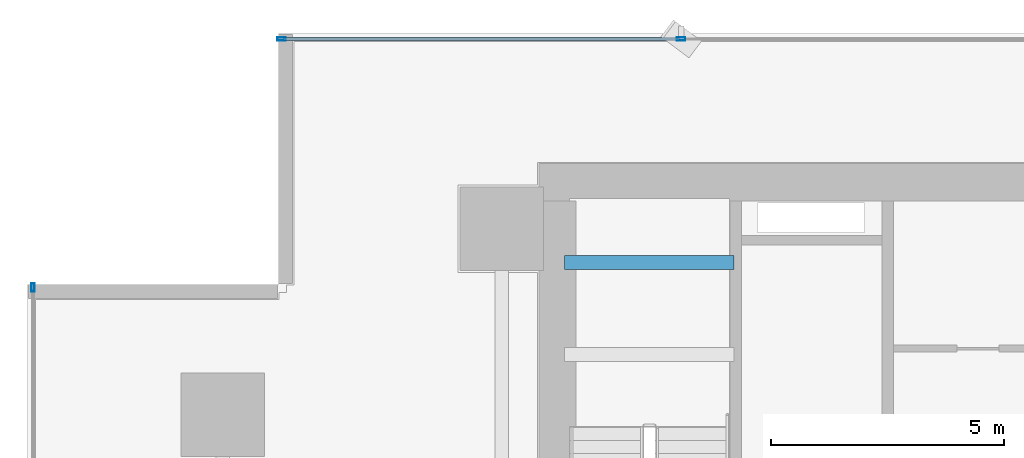
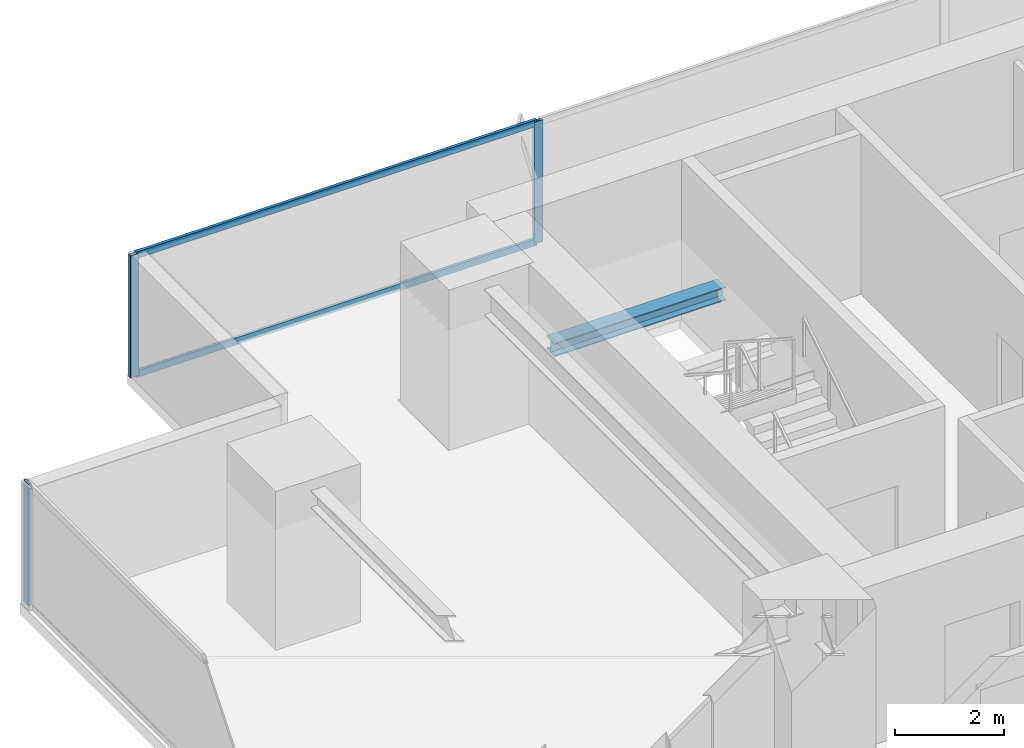
# One storey, part 18 of 33: 5 members, 1 beam, 2 elements without a shape of their own.
"""IFC4 building model written with IfcOpenShell, lengths in metres."""

from ifc_helpers import new_model, si_unit, direction, frame, origin, origin_2d, place, context, subcontext, project, spatial, hollow_rectangle, i_section, extrude, source, transform, mapped, material, layer, layer_set, material_profile, profile_set, type_object, element, aggregate, save


model = new_model("IFC4")

# Units and contexts
model_context = context("Model", 3, precision=1e-05, world=origin(), true_north=direction((0.0, 1.0)))
body_context = subcontext(model_context, "Body", "Model", "MODEL_VIEW")
ifc_project = project(units=[si_unit("LENGTHUNIT", "METRE"), si_unit("AREAUNIT", "SQUARE_METRE"), si_unit("VOLUMEUNIT", "CUBIC_METRE"), si_unit("PLANEANGLEUNIT", "RADIAN"), si_unit("MASSUNIT", "GRAM", prefix="KILO")], contexts=[model_context])

# Site, building, storey
site_placement = place(None, origin())
site = spatial("IfcSite", under=ifc_project, at=site_placement, CompositionType="ELEMENT")
building_placement = place(site_placement, origin())
building = spatial("IfcBuilding", under=site, at=building_placement, Name="Sumidabori Civic Tower", CompositionType="ELEMENT")
storey_placement = place(building_placement, frame((0.0, 0.0, 63.199951171875)))
storey = spatial("IfcBuildingStorey", under=building, at=storey_placement, Name="L16", CompositionType="ELEMENT", Elevation=63.199951171875)

# Beam
ifc_material_1 = material(Name="Steel SN490", Category="steel")
ifc_material_profile_1 = material_profile(ifc_material_1, i_section(OverallWidth=0.300048828125, OverallDepth=0.300048828125, WebThickness=0.010986328125, FlangeThickness=0.01904296875, at=origin_2d()), Name="HE 300 B")
ifc_profile_set_1 = profile_set([ifc_material_profile_1], Name="Steel SN490")
beam_type = type_object("IfcBeamType", Name="BM-LDG-300", PredefinedType="BEAM", material=ifc_profile_set_1)
shared_shape_1 = source(origin(), body_context, "Body", "SweptSolid", [
    extrude(i_section(OverallWidth=0.300048828125, OverallDepth=0.300048828125, WebThickness=0.010986328125, FlangeThickness=0.01904296875, at=origin_2d()), origin(), (0.0, 0.0, 1.0), 3.64990234375),
])
beam_placement = place(storey_placement, frame((-15.449951171875, 22.069580078125, 1.449951171875), z_axis=(1.0, 0.0, 0.0), x_axis=(0.0, 1.0, 0.0)))
element("IfcBeam", 1, at=beam_placement, inside=storey, type_object=beam_type, Name="Stair ST-1 Landing Trimmer Beam L16-1B", PredefinedType="BEAM", context=body_context, shape_type="MappedRepresentation", body=[
    mapped(shared_shape_1, transform((0.0, 0.0, 0.0), x_axis=(1.0, 0.0, 0.0), y_axis=(0.0, 1.0, 0.0), z_axis=(0.0, 0.0, 1.0), scale=1.0)),
])

# Curtain wall, members
ifc_material_2 = material(Name="Anodised Bronze Aluminium AW-6063-T6", Category="aluminium")
ifc_layer = layer(ifc_material_2, 0.179931640625, Name="Anodised Bronze Aluminium AW-6063-T6")
ifc_layer_set = layer_set([ifc_layer], Name="Anodised Bronze Aluminium AW-6063-T6")
curtain_wall_type = type_object("IfcCurtainWallType", Name="CW-SYS-2", PredefinedType="NOTDEFINED", material=ifc_layer_set)
curtain_wall_1_placement = place(storey_placement, origin())
curtain_wall_1 = element("IfcCurtainWall", 2, at=curtain_wall_1_placement, inside=storey, type_object=curtain_wall_type, Name="Curtain Wall CW:L16:R07", PredefinedType="NOTDEFINED")
ifc_material_profile_2 = material_profile(ifc_material_2, hollow_rectangle(XDim=0.070068359375, YDim=0.179931640625, WallThickness=0.006103515625, at=origin_2d()), Name="ALU MULLION 180x70")
ifc_profile_set_2 = profile_set([ifc_material_profile_2], Name="Anodised Bronze Aluminium AW-6063-T6")
member_type_1 = type_object("IfcMemberType", Name="CW-MUL-180", PredefinedType="MULLION", material=ifc_profile_set_2)
shared_shape_2 = source(origin(), body_context, "Body", "SweptSolid", [
    extrude(hollow_rectangle(XDim=0.070068359375, YDim=0.179931640625, WallThickness=0.006103515625, at=origin_2d()), origin(), (0.0, 0.0, 1.0), 2.739990234375),
])
member_1_placement = place(storey_placement, frame((-12.94189453125, 26.8798828125, 0.0), z_axis=(0.0, 0.0, 1.0), x_axis=(0.0, -1.0, 0.0)))
member_1 = element("IfcMember", 3, at=member_1_placement, type_object=member_type_1, Name="CW-2 mullion 5", PredefinedType="MULLION", context=body_context, shape_type="MappedRepresentation", body=[
    mapped(shared_shape_2, transform((0.0, 0.0, 0.0), x_axis=(1.0, 0.0, 0.0), y_axis=(0.0, 1.0, 0.0), z_axis=(0.0, 0.0, 1.0), scale=1.0)),
])
member_2_placement = place(storey_placement, frame((-21.534912109375, 26.8798828125, 0.0), z_axis=(0.0, 0.0, 1.0), x_axis=(0.0, -1.0, 0.0)))
member_2 = element("IfcMember", 4, at=member_2_placement, type_object=member_type_1, Name="CW-2 mullion 6", PredefinedType="MULLION", context=body_context, shape_type="MappedRepresentation", body=[
    mapped(shared_shape_2, transform((0.0, 0.0, 0.0), x_axis=(1.0, 0.0, 0.0), y_axis=(0.0, 1.0, 0.0), z_axis=(0.0, 0.0, 1.0), scale=1.0)),
])

# Curtain wall, member
curtain_wall_2_placement = place(storey_placement, origin())
curtain_wall_2 = element("IfcCurtainWall", 5, at=curtain_wall_2_placement, inside=storey, type_object=curtain_wall_type, Name="Curtain Wall CW:L16:R10", PredefinedType="NOTDEFINED")
member_3_placement = place(storey_placement, frame((-26.8798828125, 21.534912109375, 0.0), z_axis=(0.0, 0.0, 1.0), x_axis=(1.0, 0.0, 0.0)))
member_3 = element("IfcMember", 6, at=member_3_placement, type_object=member_type_1, Name="CW-2 mullion 1", PredefinedType="MULLION", context=body_context, shape_type="MappedRepresentation", body=[
    mapped(shared_shape_2, transform((0.0, 0.0, 0.0), x_axis=(1.0, 0.0, 0.0), y_axis=(0.0, 1.0, 0.0), z_axis=(0.0, 0.0, 1.0), scale=1.0)),
])
aggregate(curtain_wall_2, [member_3])

# Member
ifc_material_profile_3 = material_profile(ifc_material_2, hollow_rectangle(XDim=0.06494140625, YDim=0.14990234375, WallThickness=0.0048828125, at=origin_2d()), Name="ALU TRANSOM 150x65")
ifc_profile_set_3 = profile_set([ifc_material_profile_3], Name="Anodised Bronze Aluminium AW-6063-T6")
member_type_2 = type_object("IfcMemberType", Name="CW-TRN-150", PredefinedType="USERDEFINED", material=ifc_profile_set_3)
shared_shape_3 = source(origin(), body_context, "Body", "SweptSolid", [
    extrude(hollow_rectangle(XDim=0.06494140625, YDim=0.14990234375, WallThickness=0.0048828125, at=origin_2d()), origin(), (0.0, 0.0, 1.0), 8.52294921875),
])
member_4_placement = place(storey_placement, frame((-12.97705078125, 26.8798828125, 0.032470703125), z_axis=(-1.0, 0.0, 0.0), x_axis=(0.0, -1.0, 0.0)))
member_4 = element("IfcMember", 7, at=member_4_placement, type_object=member_type_2, Name="CW-2 transom 5.1", ObjectType="TRANSOM", PredefinedType="USERDEFINED", context=body_context, shape_type="MappedRepresentation", body=[
    mapped(shared_shape_3, transform((0.0, 0.0, 0.0), x_axis=(1.0, 0.0, 0.0), y_axis=(0.0, 1.0, 0.0), z_axis=(0.0, 0.0, 1.0), scale=1.0)),
])

member_5_placement = place(storey_placement, frame((-12.97705078125, 26.8798828125, 2.70751953125), z_axis=(-1.0, 0.0, 0.0), x_axis=(0.0, -1.0, 0.0)))
member_5 = element("IfcMember", 8, at=member_5_placement, type_object=member_type_2, Name="CW-2 transom 5.2", ObjectType="TRANSOM", PredefinedType="USERDEFINED", context=body_context, shape_type="MappedRepresentation", body=[
    mapped(shared_shape_3, transform((0.0, 0.0, 0.0), x_axis=(1.0, 0.0, 0.0), y_axis=(0.0, 1.0, 0.0), z_axis=(0.0, 0.0, 1.0), scale=1.0)),
])

aggregate(curtain_wall_1, [member_1, member_2, member_4, member_5])

save(model, "model.ifc")
